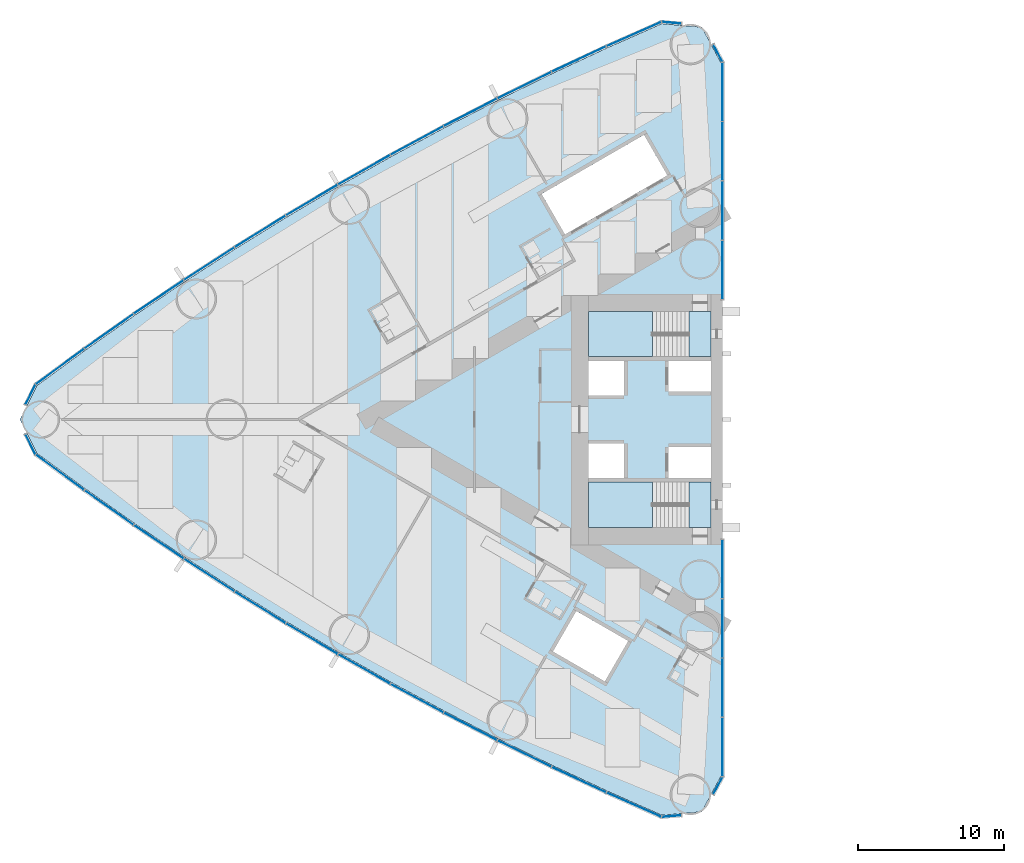
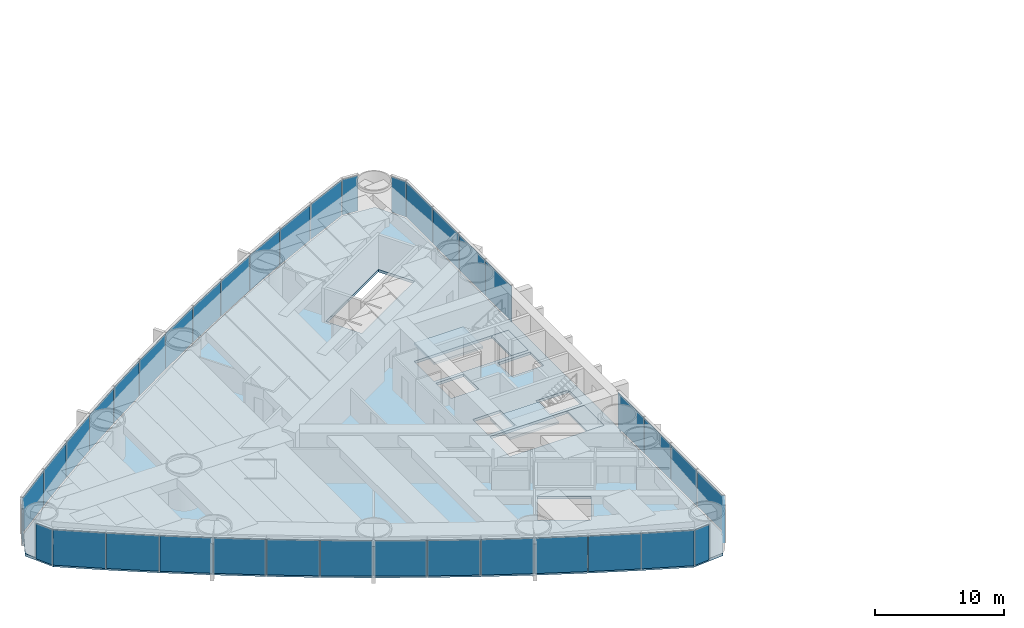
# One storey, part 9 of 18: 38 plates, 5 slabs, 6 elements without a shape of their own.
"""IFC4 building model written with IfcOpenShell, lengths in metres."""

from ifc_helpers import new_model, si_unit, direction, frame, origin, origin_2d, place, context, subcontext, project, spatial, polyline, rectangle, outline, extrude, material, layer, layer_set, type_object, element, aggregate, save


model = new_model("IFC4")

# Units and contexts
model_context = context("Model", 3, precision=1e-05, world=origin(), true_north=direction((0.0, 1.0)))
body_context = subcontext(model_context, "Body", "Model", "MODEL_VIEW")
ifc_project = project(units=[si_unit("LENGTHUNIT", "METRE"), si_unit("AREAUNIT", "SQUARE_METRE"), si_unit("VOLUMEUNIT", "CUBIC_METRE"), si_unit("PLANEANGLEUNIT", "RADIAN"), si_unit("MASSUNIT", "GRAM", prefix="KILO")], contexts=[model_context])

# Site, building, storey
site_placement = place(None, origin())
site = spatial("IfcSite", under=ifc_project, at=site_placement, CompositionType="ELEMENT")
building_placement = place(site_placement, origin())
building = spatial("IfcBuilding", under=site, at=building_placement, Name="Lancet Gate Hotel", CompositionType="ELEMENT")
storey_placement = place(building_placement, frame((0.0, 0.0, 42.5)))
storey = spatial("IfcBuildingStorey", under=building, at=storey_placement, Name="L10", CompositionType="ELEMENT", Elevation=42.5)

# Slab
ifc_material_1 = material(Name="Concrete C50/60", Category="concrete")
ifc_layer_1 = layer(ifc_material_1, 0.25)
ifc_layer_set_1 = layer_set([ifc_layer_1], Name="Floor slab 250")
slab_type_1 = type_object("IfcSlabType", Name="Floor slab 250", PredefinedType="FLOOR", material=ifc_layer_set_1)
slab_1_placement = place(storey_placement, frame((0.0, 0.0, -0.25)))
element("IfcSlab", 1, at=slab_1_placement, inside=storey, type_object=slab_type_1, Name="T1 L10 floor slab", PredefinedType="FLOOR", context=body_context, shape_type="SweptSolid", body=[
    extrude(outline(polyline([(-27.5, 8.60009765625), (-27.6201171875, 8.60009765625), (-27.6201171875, 24.4609375), (-28.926513671875, 26.8837890625), (-31.668212890625, 27.12353515625), (-35.424072265625, 25.458740234375), (-39.173583984375, 23.70849609375), (-42.887939453125, 21.884765625), (-46.56591796875, 19.98876953125), (-50.2060546875, 18.02099609375), (-53.806884765625, 15.982421875), (-57.366943359375, 13.87353515625), (-60.88525390625, 11.695068359375), (-64.360107421875, 9.448486328125), (-67.7900390625, 7.134033203125), (-71.17431640625, 4.752685546875), (-74.488525390625, 2.322021484375), (-75.65087890625, 0.0), (-74.488525390625, -2.322021484375), (-71.17431640625, -4.752685546875), (-67.7900390625, -7.134033203125), (-64.360107421875, -9.448486328125), (-60.88525390625, -11.695068359375), (-57.366943359375, -13.87353515625), (-53.806884765625, -15.982421875), (-50.2060546875, -18.02099609375), (-46.56591796875, -19.98876953125), (-42.887939453125, -21.884765625), (-39.173583984375, -23.70849609375), (-35.424072265625, -25.458740234375), (-31.668212890625, -27.12353515625), (-28.926513671875, -26.8837890625), (-27.6201171875, -24.4609375), (-27.6201171875, -8.60009765625), (-27.5, -8.60009765625), (-27.5, -8.199951171875), (-27.5, 8.199951171875), (-27.5, 8.60009765625)]), holes=[polyline([(-36.699951171875, 7.39990234375), (-36.699951171875, 4.300048828125), (-28.300048828125, 4.300048828125), (-28.300048828125, 7.39990234375), (-36.699951171875, 7.39990234375)]), polyline([(-28.300048828125, 4.0), (-31.199951171875, 4.0), (-31.199951171875, 1.89990234375), (-28.300048828125, 1.89990234375), (-28.300048828125, 4.0)]), polyline([(-34.25, 4.0), (-36.699951171875, 4.0), (-36.699951171875, 1.64990234375), (-34.25, 1.64990234375), (-34.25, 4.0)]), polyline([(-36.699951171875, -1.64990234375), (-36.699951171875, -4.0), (-34.25, -4.0), (-34.25, -1.64990234375), (-36.699951171875, -1.64990234375)]), polyline([(-28.300048828125, -1.89990234375), (-31.199951171875, -1.89990234375), (-31.199951171875, -4.0), (-28.300048828125, -4.0), (-28.300048828125, -1.89990234375)]), polyline([(-28.300048828125, -4.300048828125), (-36.699951171875, -4.300048828125), (-36.699951171875, -7.39990234375), (-28.300048828125, -7.39990234375), (-28.300048828125, -4.300048828125)]), polyline([(-31.2900390625, 16.73095703125), (-32.889892578125, 19.501953125), (-39.904052734375, 15.451904296875), (-38.303955078125, 12.680908203125), (-31.2900390625, 16.73095703125)]), polyline([(-33.97412109375, -15.180908203125), (-37.52490234375, -13.131103515625), (-39.125, -15.902099609375), (-35.573974609375, -17.951904296875), (-33.97412109375, -15.180908203125)])]), origin(), (0.0, 0.0, 1.0), 0.25),
])

# Stair, slabs
ifc_material_2 = material(Name="Exit stair 20 risers 1500")
stair_type = type_object("IfcStairType", Name="Exit stair 20 risers 1500", PredefinedType="HALF_TURN_STAIR", material=ifc_material_2)
stair_1_placement = place(storey_placement, origin())
stair_1 = element("IfcStair", 2, at=stair_1_placement, inside=storey, type_object=stair_type, Name="T1 stair 1 L10", PredefinedType="HALF_TURN_STAIR")
ifc_material_3 = material(Name="Concrete C40/50", Category="concrete")
ifc_layer_2 = layer(ifc_material_3, 0.199951171875)
ifc_layer_set_2 = layer_set([ifc_layer_2], Name="Stair landing 200")
slab_type_2 = type_object("IfcSlabType", Name="Stair landing 200", PredefinedType="LANDING", material=ifc_layer_set_2)
slab_2_placement = place(storey_placement, frame((0.0, 0.0, -0.199951171875)))
slab_2 = element("IfcSlab", 3, at=slab_2_placement, type_object=slab_type_2, Name="ST1 landing 1", PredefinedType="LANDING", context=body_context, shape_type="SweptSolid", body=[
    extrude(outline(polyline([(-28.300048828125, 7.39990234375), (-29.800048828125, 7.39990234375), (-29.800048828125, 4.300048828125), (-28.300048828125, 4.300048828125), (-28.300048828125, 7.39990234375)])), origin(), (0.0, 0.0, 1.0), 0.199951171875),
])
slab_3_placement = place(storey_placement, frame((0.0, 0.0, 1.550048828125)))
slab_3 = element("IfcSlab", 4, at=slab_3_placement, type_object=slab_type_2, Name="ST1 landing 2", PredefinedType="LANDING", context=body_context, shape_type="SweptSolid", body=[
    extrude(outline(polyline([(-32.320068359375, 7.39990234375), (-36.699951171875, 7.39990234375), (-36.699951171875, 4.300048828125), (-32.320068359375, 4.300048828125), (-32.320068359375, 7.39990234375)])), origin(), (0.0, 0.0, 1.0), 0.199951171875),
])
aggregate(stair_1, [slab_2, slab_3])

stair_2_placement = place(storey_placement, origin())
stair_2 = element("IfcStair", 5, at=stair_2_placement, inside=storey, type_object=stair_type, Name="T1 stair 2 L10", PredefinedType="HALF_TURN_STAIR")
slab_4_placement = place(storey_placement, frame((0.0, 0.0, -0.199951171875)))
slab_4 = element("IfcSlab", 6, at=slab_4_placement, type_object=slab_type_2, Name="ST2 landing 1", PredefinedType="LANDING", context=body_context, shape_type="SweptSolid", body=[
    extrude(outline(polyline([(-28.300048828125, -4.300048828125), (-29.800048828125, -4.300048828125), (-29.800048828125, -7.39990234375), (-28.300048828125, -7.39990234375), (-28.300048828125, -4.300048828125)])), origin(), (0.0, 0.0, 1.0), 0.199951171875),
])
slab_5_placement = place(storey_placement, frame((0.0, 0.0, 1.550048828125)))
slab_5 = element("IfcSlab", 7, at=slab_5_placement, type_object=slab_type_2, Name="ST2 landing 2", PredefinedType="LANDING", context=body_context, shape_type="SweptSolid", body=[
    extrude(outline(polyline([(-32.320068359375, -4.300048828125), (-36.699951171875, -4.300048828125), (-36.699951171875, -7.39990234375), (-32.320068359375, -7.39990234375), (-32.320068359375, -4.300048828125)])), origin(), (0.0, 0.0, 1.0), 0.199951171875),
])
aggregate(stair_2, [slab_4, slab_5])

# Curtain wall, plates
ifc_material_4 = material(Name="Aluminium curtain wall", Category="aluminium")
curtain_wall_type = type_object("IfcCurtainWallType", Name="Tower unitised curtain wall", PredefinedType="USERDEFINED", material=ifc_material_4)
curtain_wall_1_placement = place(storey_placement, origin())
curtain_wall_1 = element("IfcCurtainWall", 8, at=curtain_wall_1_placement, inside=storey, type_object=curtain_wall_type, Name="T1 L10 curtain wall 1", ObjectType="UNITISED CURTAIN WALL", PredefinedType="USERDEFINED")
ifc_material_5 = material(Name="Glass double glazed unit 8-16-6", Category="glass")
ifc_layer_3 = layer(ifc_material_5, 0.030029296875)
ifc_layer_set_3 = layer_set([ifc_layer_3], Name="Vision panel double glazed")
plate_type = type_object("IfcPlateType", Name="Vision panel double glazed", PredefinedType="CURTAIN_PANEL", material=ifc_layer_set_3)
plate_1_placement = place(storey_placement, frame((-27.5, 10.236328125, 0.0), z_axis=(0.0, 0.0, 1.0), x_axis=(0.0, 1.0, 0.0)))
plate_1 = element("IfcPlate", 9, at=plate_1_placement, type_object=plate_type, Name="T1 L10 curtain wall 1 panel 1", PredefinedType="CURTAIN_PANEL", context=body_context, shape_type="SweptSolid", body=[
    extrude(rectangle(XDim=4.0078125, YDim=0.030029296875, at=origin_2d()), origin(), (0.0, 0.0, 1.0), 3.35009765625),
])
plate_2_placement = place(storey_placement, frame((-27.5, 14.30908203125, 0.0), z_axis=(0.0, 0.0, 1.0), x_axis=(0.0, 1.0, 0.0)))
plate_2 = element("IfcPlate", 10, at=plate_2_placement, type_object=plate_type, Name="T1 L10 curtain wall 1 panel 2", PredefinedType="CURTAIN_PANEL", context=body_context, shape_type="SweptSolid", body=[
    extrude(rectangle(XDim=4.0078125, YDim=0.030029296875, at=origin_2d()), origin(), (0.0, 0.0, 1.0), 3.35009765625),
])
plate_3_placement = place(storey_placement, frame((-27.5, 18.382080078125, 0.0), z_axis=(0.0, 0.0, 1.0), x_axis=(0.0, 1.0, 0.0)))
plate_3 = element("IfcPlate", 11, at=plate_3_placement, type_object=plate_type, Name="T1 L10 curtain wall 1 panel 3", PredefinedType="CURTAIN_PANEL", context=body_context, shape_type="SweptSolid", body=[
    extrude(rectangle(XDim=4.0078125, YDim=0.030029296875, at=origin_2d()), origin(), (0.0, 0.0, 1.0), 3.35009765625),
])
plate_4_placement = place(storey_placement, frame((-27.5, 22.454833984375, 0.0), z_axis=(0.0, 0.0, 1.0), x_axis=(0.0, 1.0, 0.0)))
plate_4 = element("IfcPlate", 12, at=plate_4_placement, type_object=plate_type, Name="T1 L10 curtain wall 1 panel 4", PredefinedType="CURTAIN_PANEL", context=body_context, shape_type="SweptSolid", body=[
    extrude(rectangle(XDim=4.0078125, YDim=0.030029296875, at=origin_2d()), origin(), (0.0, 0.0, 1.0), 3.35009765625),
])
plate_5_placement = place(storey_placement, frame((-27.829345703125, 25.10205078125, 0.0), z_axis=(0.0, 0.0, 1.0), x_axis=(-0.474631040972, 0.880184852714, 0.0)))
plate_5 = element("IfcPlate", 13, at=plate_5_placement, type_object=plate_type, Name="T1 L10 curtain wall 1 panel 5", PredefinedType="CURTAIN_PANEL", context=body_context, shape_type="SweptSolid", body=[
    extrude(rectangle(XDim=1.322998046875, YDim=0.030029296875, at=origin_2d()), origin(), (0.0, 0.0, 1.0), 3.35009765625),
])
aggregate(curtain_wall_1, [plate_1, plate_2, plate_3, plate_4, plate_5])

curtain_wall_2_placement = place(storey_placement, origin())
curtain_wall_2 = element("IfcCurtainWall", 14, at=curtain_wall_2_placement, inside=storey, type_object=curtain_wall_type, Name="T1 L10 curtain wall 2", ObjectType="UNITISED CURTAIN WALL", PredefinedType="USERDEFINED")
plate_6_placement = place(storey_placement, frame((-30.99658203125, 27.185302734375, 0.0), z_axis=(0.0, 0.0, 1.0), x_axis=(-0.99620380374, 0.087051602022, 0.0)))
plate_6 = element("IfcPlate", 15, at=plate_6_placement, type_object=plate_type, Name="T1 L10 curtain wall 2 panel 1", PredefinedType="CURTAIN_PANEL", context=body_context, shape_type="SweptSolid", body=[
    extrude(rectangle(XDim=1.32421875, YDim=0.030029296875, at=origin_2d()), origin(), (0.0, 0.0, 1.0), 3.35009765625),
])
plate_7_placement = place(storey_placement, frame((-33.581298828125, 26.406982421875, 0.0), z_axis=(0.0, 0.0, 1.0), x_axis=(-0.914234183208, -0.405186201954, 0.0)))
plate_7 = element("IfcPlate", 16, at=plate_7_placement, type_object=plate_type, Name="T1 L10 curtain wall 2 panel 2", PredefinedType="CURTAIN_PANEL", context=body_context, shape_type="SweptSolid", body=[
    extrude(rectangle(XDim=4.0751953125, YDim=0.030029296875, at=origin_2d()), origin(), (0.0, 0.0, 1.0), 3.35009765625),
])
plate_8_placement = place(storey_placement, frame((-37.349609375, 24.6923828125, 0.0), z_axis=(0.0, 0.0, 1.0), x_axis=(-0.906117767284, -0.423025521467, 0.0)))
plate_8 = element("IfcPlate", 17, at=plate_8_placement, type_object=plate_type, Name="T1 L10 curtain wall 2 panel 3", PredefinedType="CURTAIN_PANEL", context=body_context, shape_type="SweptSolid", body=[
    extrude(rectangle(XDim=4.0751953125, YDim=0.030029296875, at=origin_2d()), origin(), (0.0, 0.0, 1.0), 3.35009765625),
])
plate_9_placement = place(storey_placement, frame((-41.083740234375, 22.904296875, 0.0), z_axis=(0.0, 0.0, 1.0), x_axis=(-0.897653295642, -0.440702349463, 0.0)))
plate_9 = element("IfcPlate", 18, at=plate_9_placement, type_object=plate_type, Name="T1 L10 curtain wall 2 panel 4", PredefinedType="CURTAIN_PANEL", context=body_context, shape_type="SweptSolid", body=[
    extrude(rectangle(XDim=4.0751953125, YDim=0.030029296875, at=origin_2d()), origin(), (0.0, 0.0, 1.0), 3.35009765625),
])
plate_10_placement = place(storey_placement, frame((-44.781982421875, 21.04345703125, 0.0), z_axis=(0.0, 0.0, 1.0), x_axis=(-0.888844019644, -0.458209895946, 0.0)))
plate_10 = element("IfcPlate", 19, at=plate_10_placement, type_object=plate_type, Name="T1 L10 curtain wall 2 panel 5", PredefinedType="CURTAIN_PANEL", context=body_context, shape_type="SweptSolid", body=[
    extrude(rectangle(XDim=4.0751953125, YDim=0.030029296875, at=origin_2d()), origin(), (0.0, 0.0, 1.0), 3.35009765625),
])
plate_11_placement = place(storey_placement, frame((-48.443115234375, 19.110595703125, 0.0), z_axis=(0.0, 0.0, 1.0), x_axis=(-0.87969332307, -0.475541435993, 0.0)))
plate_11 = element("IfcPlate", 20, at=plate_11_placement, type_object=plate_type, Name="T1 L10 curtain wall 2 panel 6", PredefinedType="CURTAIN_PANEL", context=body_context, shape_type="SweptSolid", body=[
    extrude(rectangle(XDim=4.0751953125, YDim=0.030029296875, at=origin_2d()), origin(), (0.0, 0.0, 1.0), 3.35009765625),
])
plate_12_placement = place(storey_placement, frame((-52.065673828125, 17.106201171875, 0.0), z_axis=(0.0, 0.0, 1.0), x_axis=(-0.870204720871, -0.492690312238, 0.0)))
plate_12 = element("IfcPlate", 21, at=plate_12_placement, type_object=plate_type, Name="T1 L10 curtain wall 2 panel 7", PredefinedType="CURTAIN_PANEL", context=body_context, shape_type="SweptSolid", body=[
    extrude(rectangle(XDim=4.0751953125, YDim=0.030029296875, at=origin_2d()), origin(), (0.0, 0.0, 1.0), 3.35009765625),
])
plate_13_placement = place(storey_placement, frame((-55.648193359375, 15.031005859375, 0.0), z_axis=(0.0, 0.0, 1.0), x_axis=(-0.860381857795, -0.509649937484, 0.0)))
plate_13 = element("IfcPlate", 22, at=plate_13_placement, type_object=plate_type, Name="T1 L10 curtain wall 2 panel 8", PredefinedType="CURTAIN_PANEL", context=body_context, shape_type="SweptSolid", body=[
    extrude(rectangle(XDim=4.0751953125, YDim=0.030029296875, at=origin_2d()), origin(), (0.0, 0.0, 1.0), 3.35009765625),
])
plate_14_placement = place(storey_placement, frame((-59.189208984375, 12.88623046875, 0.0), z_axis=(0.0, 0.0, 1.0), x_axis=(-0.850228506958, -0.52641379727, 0.0)))
plate_14 = element("IfcPlate", 23, at=plate_14_placement, type_object=plate_type, Name="T1 L10 curtain wall 2 panel 9", PredefinedType="CURTAIN_PANEL", context=body_context, shape_type="SweptSolid", body=[
    extrude(rectangle(XDim=4.0751953125, YDim=0.030029296875, at=origin_2d()), origin(), (0.0, 0.0, 1.0), 3.35009765625),
])
plate_15_placement = place(storey_placement, frame((-62.687744140625, 10.672607421875, 0.0), z_axis=(0.0, 0.0, 1.0), x_axis=(-0.839748568448, -0.54297545229, 0.0)))
plate_15 = element("IfcPlate", 24, at=plate_15_placement, type_object=plate_type, Name="T1 L10 curtain wall 2 panel 10", PredefinedType="CURTAIN_PANEL", context=body_context, shape_type="SweptSolid", body=[
    extrude(rectangle(XDim=4.0751953125, YDim=0.030029296875, at=origin_2d()), origin(), (0.0, 0.0, 1.0), 3.35009765625),
])
plate_16_placement = place(storey_placement, frame((-66.142333984375, 8.390625, 0.0), z_axis=(0.0, 0.0, 1.0), x_axis=(-0.828946067803, -0.559328540907, 0.0)))
plate_16 = element("IfcPlate", 25, at=plate_16_placement, type_object=plate_type, Name="T1 L10 curtain wall 2 panel 11", PredefinedType="CURTAIN_PANEL", context=body_context, shape_type="SweptSolid", body=[
    extrude(rectangle(XDim=4.0751953125, YDim=0.030029296875, at=origin_2d()), origin(), (0.0, 0.0, 1.0), 3.35009765625),
])
plate_17_placement = place(storey_placement, frame((-69.55126953125, 6.04150390625, 0.0), z_axis=(0.0, 0.0, 1.0), x_axis=(-0.817825154435, -0.575466781642, 0.0)))
plate_17 = element("IfcPlate", 26, at=plate_17_placement, type_object=plate_type, Name="T1 L10 curtain wall 2 panel 12", PredefinedType="CURTAIN_PANEL", context=body_context, shape_type="SweptSolid", body=[
    extrude(rectangle(XDim=4.0751953125, YDim=0.030029296875, at=origin_2d()), origin(), (0.0, 0.0, 1.0), 3.35009765625),
])
plate_18_placement = place(storey_placement, frame((-72.91357421875, 3.6259765625, 0.0), z_axis=(0.0, 0.0, 1.0), x_axis=(-0.80639010009, -0.591383975499, 0.0)))
plate_18 = element("IfcPlate", 27, at=plate_18_placement, type_object=plate_type, Name="T1 L10 curtain wall 2 panel 13", PredefinedType="CURTAIN_PANEL", context=body_context, shape_type="SweptSolid", body=[
    extrude(rectangle(XDim=4.0751953125, YDim=0.030029296875, at=origin_2d()), origin(), (0.0, 0.0, 1.0), 3.35009765625),
])
plate_19_placement = place(storey_placement, frame((-74.93505859375, 1.6982421875, 0.0), z_axis=(0.0, 0.0, 1.0), x_axis=(-0.447628324726, -0.89421970617, 0.0)))
plate_19 = element("IfcPlate", 28, at=plate_19_placement, type_object=plate_type, Name="T1 L10 curtain wall 2 panel 14", PredefinedType="CURTAIN_PANEL", context=body_context, shape_type="SweptSolid", body=[
    extrude(rectangle(XDim=1.50830078125, YDim=0.030029296875, at=origin_2d()), origin(), (0.0, 0.0, 1.0), 3.35009765625),
])
aggregate(curtain_wall_2, [plate_6, plate_7, plate_8, plate_9, plate_10, plate_11, plate_12, plate_13, plate_14, plate_15, plate_16, plate_17, plate_18, plate_19])

curtain_wall_3_placement = place(storey_placement, origin())
curtain_wall_3 = element("IfcCurtainWall", 29, at=curtain_wall_3_placement, inside=storey, type_object=curtain_wall_type, Name="T1 L10 curtain wall 3", ObjectType="UNITISED CURTAIN WALL", PredefinedType="USERDEFINED")
plate_20_placement = place(storey_placement, frame((-74.93505859375, -1.6982421875, 0.0), z_axis=(0.0, 0.0, 1.0), x_axis=(0.447628324726, -0.89421970617, 0.0)))
plate_20 = element("IfcPlate", 30, at=plate_20_placement, type_object=plate_type, Name="T1 L10 curtain wall 3 panel 1", PredefinedType="CURTAIN_PANEL", context=body_context, shape_type="SweptSolid", body=[
    extrude(rectangle(XDim=1.50830078125, YDim=0.030029296875, at=origin_2d()), origin(), (0.0, 0.0, 1.0), 3.35009765625),
])
plate_21_placement = place(storey_placement, frame((-72.91357421875, -3.6259765625, 0.0), z_axis=(0.0, 0.0, 1.0), x_axis=(0.80639010009, -0.591383975499, 0.0)))
plate_21 = element("IfcPlate", 31, at=plate_21_placement, type_object=plate_type, Name="T1 L10 curtain wall 3 panel 2", PredefinedType="CURTAIN_PANEL", context=body_context, shape_type="SweptSolid", body=[
    extrude(rectangle(XDim=4.0751953125, YDim=0.030029296875, at=origin_2d()), origin(), (0.0, 0.0, 1.0), 3.35009765625),
])
plate_22_placement = place(storey_placement, frame((-69.55126953125, -6.04150390625, 0.0), z_axis=(0.0, 0.0, 1.0), x_axis=(0.817825154435, -0.575466781642, 0.0)))
plate_22 = element("IfcPlate", 32, at=plate_22_placement, type_object=plate_type, Name="T1 L10 curtain wall 3 panel 3", PredefinedType="CURTAIN_PANEL", context=body_context, shape_type="SweptSolid", body=[
    extrude(rectangle(XDim=4.0751953125, YDim=0.030029296875, at=origin_2d()), origin(), (0.0, 0.0, 1.0), 3.35009765625),
])
plate_23_placement = place(storey_placement, frame((-66.142333984375, -8.390625, 0.0), z_axis=(0.0, 0.0, 1.0), x_axis=(0.828946067803, -0.559328540907, 0.0)))
plate_23 = element("IfcPlate", 33, at=plate_23_placement, type_object=plate_type, Name="T1 L10 curtain wall 3 panel 4", PredefinedType="CURTAIN_PANEL", context=body_context, shape_type="SweptSolid", body=[
    extrude(rectangle(XDim=4.0751953125, YDim=0.030029296875, at=origin_2d()), origin(), (0.0, 0.0, 1.0), 3.35009765625),
])
plate_24_placement = place(storey_placement, frame((-62.687744140625, -10.672607421875, 0.0), z_axis=(0.0, 0.0, 1.0), x_axis=(0.839748568448, -0.54297545229, 0.0)))
plate_24 = element("IfcPlate", 34, at=plate_24_placement, type_object=plate_type, Name="T1 L10 curtain wall 3 panel 5", PredefinedType="CURTAIN_PANEL", context=body_context, shape_type="SweptSolid", body=[
    extrude(rectangle(XDim=4.0751953125, YDim=0.030029296875, at=origin_2d()), origin(), (0.0, 0.0, 1.0), 3.35009765625),
])
plate_25_placement = place(storey_placement, frame((-59.189208984375, -12.88623046875, 0.0), z_axis=(0.0, 0.0, 1.0), x_axis=(0.850228506958, -0.52641379727, 0.0)))
plate_25 = element("IfcPlate", 35, at=plate_25_placement, type_object=plate_type, Name="T1 L10 curtain wall 3 panel 6", PredefinedType="CURTAIN_PANEL", context=body_context, shape_type="SweptSolid", body=[
    extrude(rectangle(XDim=4.0751953125, YDim=0.030029296875, at=origin_2d()), origin(), (0.0, 0.0, 1.0), 3.35009765625),
])
plate_26_placement = place(storey_placement, frame((-55.648193359375, -15.031005859375, 0.0), z_axis=(0.0, 0.0, 1.0), x_axis=(0.860381857795, -0.509649937484, 0.0)))
plate_26 = element("IfcPlate", 36, at=plate_26_placement, type_object=plate_type, Name="T1 L10 curtain wall 3 panel 7", PredefinedType="CURTAIN_PANEL", context=body_context, shape_type="SweptSolid", body=[
    extrude(rectangle(XDim=4.0751953125, YDim=0.030029296875, at=origin_2d()), origin(), (0.0, 0.0, 1.0), 3.35009765625),
])
plate_27_placement = place(storey_placement, frame((-52.065673828125, -17.106201171875, 0.0), z_axis=(0.0, 0.0, 1.0), x_axis=(0.870204720871, -0.492690312238, 0.0)))
plate_27 = element("IfcPlate", 37, at=plate_27_placement, type_object=plate_type, Name="T1 L10 curtain wall 3 panel 8", PredefinedType="CURTAIN_PANEL", context=body_context, shape_type="SweptSolid", body=[
    extrude(rectangle(XDim=4.0751953125, YDim=0.030029296875, at=origin_2d()), origin(), (0.0, 0.0, 1.0), 3.35009765625),
])
plate_28_placement = place(storey_placement, frame((-48.443115234375, -19.110595703125, 0.0), z_axis=(0.0, 0.0, 1.0), x_axis=(0.87969332307, -0.475541435993, 0.0)))
plate_28 = element("IfcPlate", 38, at=plate_28_placement, type_object=plate_type, Name="T1 L10 curtain wall 3 panel 9", PredefinedType="CURTAIN_PANEL", context=body_context, shape_type="SweptSolid", body=[
    extrude(rectangle(XDim=4.0751953125, YDim=0.030029296875, at=origin_2d()), origin(), (0.0, 0.0, 1.0), 3.35009765625),
])
plate_29_placement = place(storey_placement, frame((-44.781982421875, -21.04345703125, 0.0), z_axis=(0.0, 0.0, 1.0), x_axis=(0.888844019644, -0.458209895946, 0.0)))
plate_29 = element("IfcPlate", 39, at=plate_29_placement, type_object=plate_type, Name="T1 L10 curtain wall 3 panel 10", PredefinedType="CURTAIN_PANEL", context=body_context, shape_type="SweptSolid", body=[
    extrude(rectangle(XDim=4.0751953125, YDim=0.030029296875, at=origin_2d()), origin(), (0.0, 0.0, 1.0), 3.35009765625),
])
plate_30_placement = place(storey_placement, frame((-41.083740234375, -22.904296875, 0.0), z_axis=(0.0, 0.0, 1.0), x_axis=(0.897653295642, -0.440702349463, 0.0)))
plate_30 = element("IfcPlate", 40, at=plate_30_placement, type_object=plate_type, Name="T1 L10 curtain wall 3 panel 11", PredefinedType="CURTAIN_PANEL", context=body_context, shape_type="SweptSolid", body=[
    extrude(rectangle(XDim=4.0751953125, YDim=0.030029296875, at=origin_2d()), origin(), (0.0, 0.0, 1.0), 3.35009765625),
])
plate_31_placement = place(storey_placement, frame((-37.349609375, -24.6923828125, 0.0), z_axis=(0.0, 0.0, 1.0), x_axis=(0.906117767284, -0.423025521467, 0.0)))
plate_31 = element("IfcPlate", 41, at=plate_31_placement, type_object=plate_type, Name="T1 L10 curtain wall 3 panel 12", PredefinedType="CURTAIN_PANEL", context=body_context, shape_type="SweptSolid", body=[
    extrude(rectangle(XDim=4.0751953125, YDim=0.030029296875, at=origin_2d()), origin(), (0.0, 0.0, 1.0), 3.35009765625),
])
plate_32_placement = place(storey_placement, frame((-33.581298828125, -26.406982421875, 0.0), z_axis=(0.0, 0.0, 1.0), x_axis=(0.914234183208, -0.405186201954, 0.0)))
plate_32 = element("IfcPlate", 42, at=plate_32_placement, type_object=plate_type, Name="T1 L10 curtain wall 3 panel 13", PredefinedType="CURTAIN_PANEL", context=body_context, shape_type="SweptSolid", body=[
    extrude(rectangle(XDim=4.0751953125, YDim=0.030029296875, at=origin_2d()), origin(), (0.0, 0.0, 1.0), 3.35009765625),
])
plate_33_placement = place(storey_placement, frame((-30.99658203125, -27.185302734375, 0.0), z_axis=(0.0, 0.0, 1.0), x_axis=(0.99620380374, 0.087051602022, 0.0)))
plate_33 = element("IfcPlate", 43, at=plate_33_placement, type_object=plate_type, Name="T1 L10 curtain wall 3 panel 14", PredefinedType="CURTAIN_PANEL", context=body_context, shape_type="SweptSolid", body=[
    extrude(rectangle(XDim=1.32421875, YDim=0.030029296875, at=origin_2d()), origin(), (0.0, 0.0, 1.0), 3.35009765625),
])
aggregate(curtain_wall_3, [plate_20, plate_21, plate_22, plate_23, plate_24, plate_25, plate_26, plate_27, plate_28, plate_29, plate_30, plate_31, plate_32, plate_33])

curtain_wall_4_placement = place(storey_placement, origin())
curtain_wall_4 = element("IfcCurtainWall", 44, at=curtain_wall_4_placement, inside=storey, type_object=curtain_wall_type, Name="T1 L10 curtain wall 4", ObjectType="UNITISED CURTAIN WALL", PredefinedType="USERDEFINED")
plate_34_placement = place(storey_placement, frame((-27.829345703125, -25.10205078125, 0.0), z_axis=(0.0, 0.0, 1.0), x_axis=(0.474631040972, 0.880184852714, 0.0)))
plate_34 = element("IfcPlate", 45, at=plate_34_placement, type_object=plate_type, Name="T1 L10 curtain wall 4 panel 1", PredefinedType="CURTAIN_PANEL", context=body_context, shape_type="SweptSolid", body=[
    extrude(rectangle(XDim=1.322998046875, YDim=0.030029296875, at=origin_2d()), origin(), (0.0, 0.0, 1.0), 3.35009765625),
])
plate_35_placement = place(storey_placement, frame((-27.5, -22.454833984375, 0.0), z_axis=(0.0, 0.0, 1.0), x_axis=(0.0, 1.0, 0.0)))
plate_35 = element("IfcPlate", 46, at=plate_35_placement, type_object=plate_type, Name="T1 L10 curtain wall 4 panel 2", PredefinedType="CURTAIN_PANEL", context=body_context, shape_type="SweptSolid", body=[
    extrude(rectangle(XDim=4.0078125, YDim=0.030029296875, at=origin_2d()), origin(), (0.0, 0.0, 1.0), 3.35009765625),
])
plate_36_placement = place(storey_placement, frame((-27.5, -18.382080078125, 0.0), z_axis=(0.0, 0.0, 1.0), x_axis=(0.0, 1.0, 0.0)))
plate_36 = element("IfcPlate", 47, at=plate_36_placement, type_object=plate_type, Name="T1 L10 curtain wall 4 panel 3", PredefinedType="CURTAIN_PANEL", context=body_context, shape_type="SweptSolid", body=[
    extrude(rectangle(XDim=4.0078125, YDim=0.030029296875, at=origin_2d()), origin(), (0.0, 0.0, 1.0), 3.35009765625),
])
plate_37_placement = place(storey_placement, frame((-27.5, -14.30908203125, 0.0), z_axis=(0.0, 0.0, 1.0), x_axis=(0.0, 1.0, 0.0)))
plate_37 = element("IfcPlate", 48, at=plate_37_placement, type_object=plate_type, Name="T1 L10 curtain wall 4 panel 4", PredefinedType="CURTAIN_PANEL", context=body_context, shape_type="SweptSolid", body=[
    extrude(rectangle(XDim=4.0078125, YDim=0.030029296875, at=origin_2d()), origin(), (0.0, 0.0, 1.0), 3.35009765625),
])
plate_38_placement = place(storey_placement, frame((-27.5, -10.236328125, 0.0), z_axis=(0.0, 0.0, 1.0), x_axis=(0.0, 1.0, 0.0)))
plate_38 = element("IfcPlate", 49, at=plate_38_placement, type_object=plate_type, Name="T1 L10 curtain wall 4 panel 5", PredefinedType="CURTAIN_PANEL", context=body_context, shape_type="SweptSolid", body=[
    extrude(rectangle(XDim=4.0078125, YDim=0.030029296875, at=origin_2d()), origin(), (0.0, 0.0, 1.0), 3.35009765625),
])
aggregate(curtain_wall_4, [plate_34, plate_35, plate_36, plate_37, plate_38])

save(model, "model.ifc")
